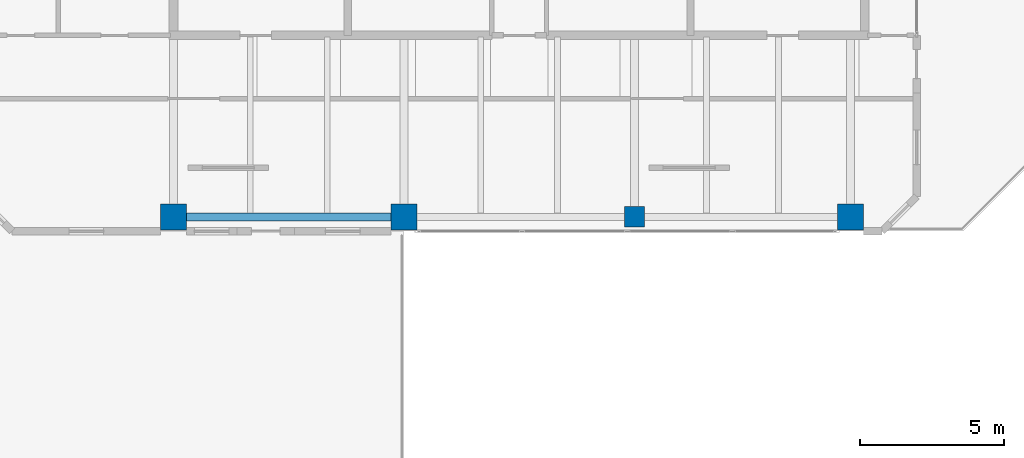
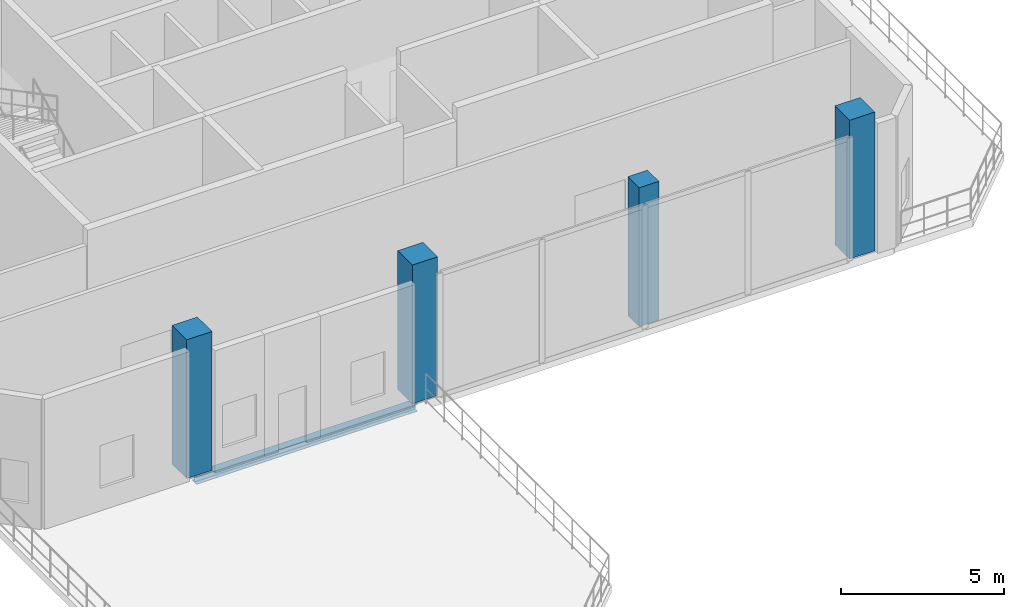
# One storey, part 1 of 11: 4 columns, 1 beam.
"""IFC4 building model written with IfcOpenShell, lengths in metres."""

from ifc_helpers import new_model, si_unit, direction, frame, origin, origin_2d, place, context, subcontext, project, spatial, rectangle, i_section, extrude, material, material_profile, profile_set, type_object, element, save


model = new_model("IFC4")

# Units and contexts
model_context = context("Model", 3, precision=1e-05, world=origin(), true_north=direction((0.0, 1.0)))
body_context = subcontext(model_context, "Body", "Model", "MODEL_VIEW")
ifc_project = project(units=[si_unit("LENGTHUNIT", "METRE"), si_unit("AREAUNIT", "SQUARE_METRE"), si_unit("VOLUMEUNIT", "CUBIC_METRE"), si_unit("PLANEANGLEUNIT", "RADIAN"), si_unit("MASSUNIT", "GRAM", prefix="KILO")], contexts=[model_context])

# Site, building, storey
site_placement = place(None, origin())
site = spatial("IfcSite", under=ifc_project, at=site_placement, CompositionType="ELEMENT")
building_placement = place(site_placement, origin())
building = spatial("IfcBuilding", under=site, at=building_placement, Name="Catumbela Crestline Tower", CompositionType="ELEMENT")
storey_placement = place(building_placement, frame((0.0, 0.0, 290.6)))
storey = spatial("IfcBuildingStorey", under=building, at=storey_placement, Name="L75", CompositionType="ELEMENT", Elevation=290.6)

# Columns
ifc_material_1 = material(Name="Concrete C45/55", Category="concrete")
ifc_material_profile_1 = material_profile(ifc_material_1, rectangle(XDim=0.7, YDim=0.7, at=origin_2d()), Name="RC 700x700")
ifc_profile_set_1 = profile_set([ifc_material_profile_1], Name="Concrete C45/55")
column_type_1 = type_object("IfcColumnType", Name="C-RC700-C45", PredefinedType="COLUMN", material=ifc_profile_set_1)
column_placement = place(storey_placement, frame((32.0, 24.5, 0.0), z_axis=(0.0, 0.0, 1.0), x_axis=(1.0, 0.0, 0.0)))
element("IfcColumn", 1, at=column_placement, inside=storey, type_object=column_type_1, Name="L75 Column C-32-24 (RC 700x700)", PredefinedType="COLUMN", context=body_context, shape_type="SweptSolid", body=[
    extrude(rectangle(XDim=0.7, YDim=0.7, at=origin_2d()), origin(), (0.0, 0.0, 1.0), 5.2),
])
ifc_material_profile_2 = material_profile(ifc_material_1, rectangle(XDim=0.9, YDim=0.9, at=origin_2d()), Name="RC 900x900")
ifc_profile_set_2 = profile_set([ifc_material_profile_2], Name="Concrete C45/55")
column_type_2 = type_object("IfcColumnType", Name="C-RC900-C45", PredefinedType="COLUMN", material=ifc_profile_set_2)
for number, where, z_axis, x_axis, name in (
    (2, (16.0, 24.5, 0.0), (0.0, 0.0, 1.0), (1.0, 0.0, 0.0), "L75 Column C-16-24 (RC 900x900)"),
    (3, (24.0, 24.5, 0.0), (0.0, 0.0, 1.0), (1.0, 0.0, 0.0), "L75 Column C-24-24 (RC 900x900)"),
    (4, (39.5, 24.5, 0.0), (0.0, 0.0, 1.0), (1.0, 0.0, 0.0), "L75 Column C-40-24 (RC 900x900)"),
):
    element("IfcColumn", number, at=place(storey_placement, frame(where, z_axis=z_axis, x_axis=x_axis)), inside=storey, type_object=column_type_2, Name=name, PredefinedType="COLUMN", context=body_context, shape_type="SweptSolid", body=[
        extrude(rectangle(XDim=0.9, YDim=0.9, at=origin_2d()), origin(), (0.0, 0.0, 1.0), 5.2),
    ])

# Beam
ifc_material_2 = material(Name="Structural steel S355J2", Category="steel")
ifc_material_profile_3 = material_profile(ifc_material_2, i_section(OverallWidth=0.28, OverallDepth=0.28, WebThickness=0.0105, FlangeThickness=0.018, FilletRadius=0.024, at=origin_2d()), Name="HEB 280")
ifc_profile_set_3 = profile_set([ifc_material_profile_3], Name="Structural steel S355J2")
beam_type = type_object("IfcBeamType", Name="BG-HEB280", PredefinedType="BEAM", material=ifc_profile_set_3)
beam_placement = place(storey_placement, frame((16.08, 24.5, -0.46), z_axis=(1.0, 0.0, 0.0), x_axis=(0.0, 1.0, 0.0)))
element("IfcBeam", 5, at=beam_placement, inside=storey, type_object=beam_type, Name="L75 Beam BM-L75-S01", PredefinedType="BEAM", context=body_context, shape_type="SweptSolid", body=[
    extrude(i_section(OverallWidth=0.28, OverallDepth=0.28, WebThickness=0.0105, FlangeThickness=0.018, FilletRadius=0.024, at=origin_2d()), origin(), (0.0, 0.0, 1.0), 7.84),
])

save(model, "model.ifc")
